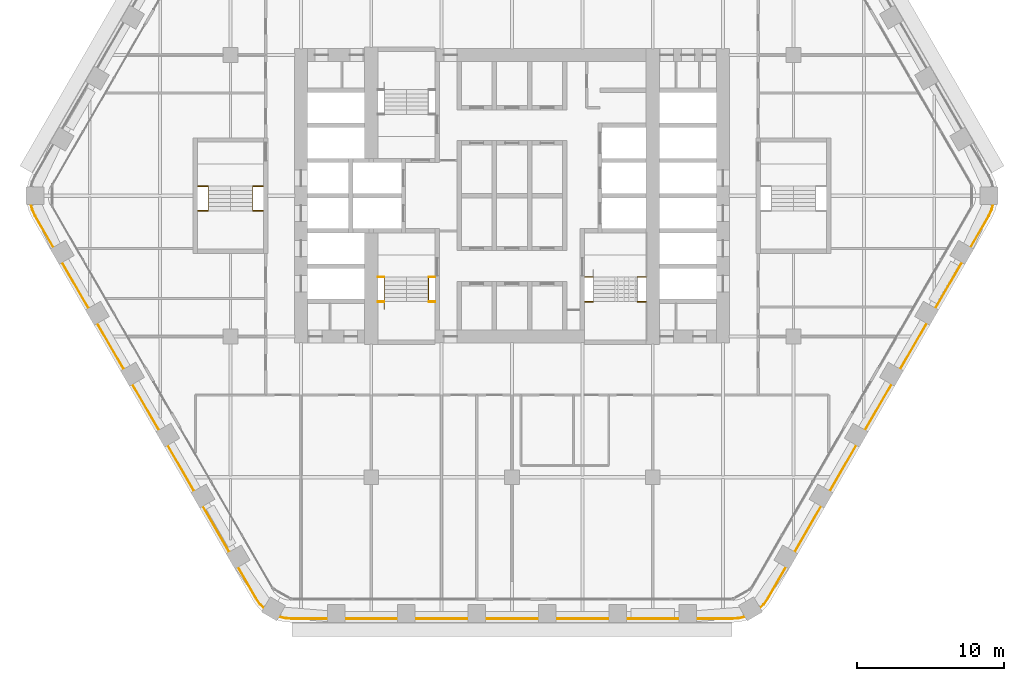
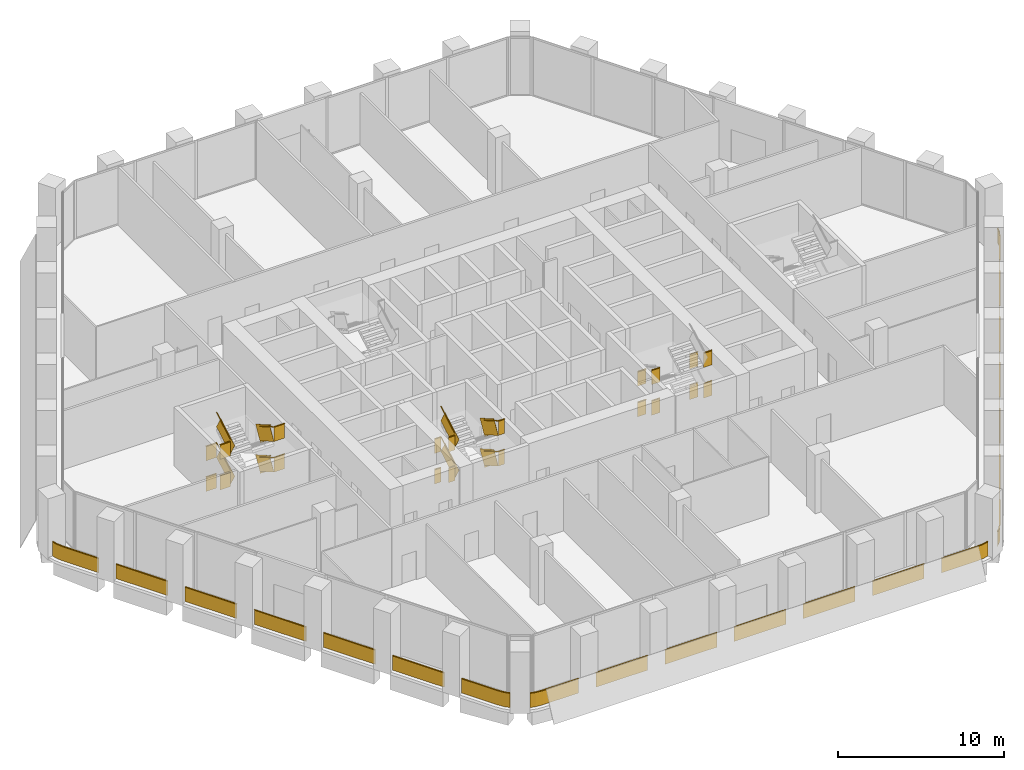
# One storey, part 22 of 23: 8 railings.
"""IFC4 building model written with IfcOpenShell, lengths in metres."""

import ifcopenshell
import ifcopenshell.guid

model = None  # the IFC model being written
_history = None  # IfcOwnerHistory: only IFC2X3 demands one
_inside = {}  # id of a spatial element -> (the spatial element, [elements in it])
_under = {}  # id of a project, library or spatial element -> (it, [spatial elements below it])
_declared = {}  # id of a project -> (the project, [libraries it declares])
_typed = {}  # id of a type object -> (the type object, [elements of that type])
_made_of = {}  # id of a material, layer set ... -> (it, [elements and type objects made of it])


def new_model(schema):
    """Start an empty IFC model of exactly this schema.

    Asked for "IFC4X3", IfcOpenShell would pick the latest addendum, in which some entities
    have other attributes; the version numbers below select the first issue.
    IFC2X3 requires an IfcOwnerHistory on every rooted entity: one is made here for all.
    """
    global model, _history
    if schema == "IFC4X3":
        model = ifcopenshell.file(schema_version=(4, 3, 0, 0))
    else:
        model = ifcopenshell.file(schema=schema)
    _inside.clear()
    _under.clear()
    _declared.clear()
    _typed.clear()
    _made_of.clear()
    _history = None
    if model.schema == "IFC2X3":
        org = make("IfcOrganization", Name="unknown")
        user = make(
            "IfcPersonAndOrganization",
            ThePerson=make("IfcPerson", FamilyName="unknown"),
            TheOrganization=org,
        )
        app = make(
            "IfcApplication",
            ApplicationDeveloper=org,
            Version="unknown",
            ApplicationFullName="unknown",
            ApplicationIdentifier="unknown",
        )
        _history = make(
            "IfcOwnerHistory",
            OwningUser=user,
            OwningApplication=app,
            ChangeAction="ADDED",
            CreationDate=0,
        )
    return model


def make(cls, **values):
    """One entity of the class cls with the attributes given. An attribute that is None is left unset."""
    return model.create_entity(
        cls, **{name: value for name, value in values.items() if value is not None}
    )


def rooted(cls, **values):
    """An entity with a GlobalId (a new one), such as an element, a storey or a relation."""
    return make(cls, GlobalId=ifcopenshell.guid.new(), OwnerHistory=_history, **values)


def si_unit(unit_type, name, prefix=None):
    """IfcSIUnit, for example si_unit("LENGTHUNIT", "METRE", prefix="MILLI")."""
    return make("IfcSIUnit", UnitType=unit_type, Prefix=prefix, Name=name)


def assignment(units):
    """IfcUnitAssignment: the units of a project."""
    return None if units is None else make("IfcUnitAssignment", Units=units)


def point(xyz):
    """IfcCartesianPoint."""
    return None if xyz is None else make("IfcCartesianPoint", Coordinates=xyz)


def direction(xyz):
    """IfcDirection."""
    return None if xyz is None else make("IfcDirection", DirectionRatios=xyz)


def frame(location, z_axis=None, x_axis=None):
    """IfcAxis2Placement3D, a coordinate frame: its origin and axes. An axis left out is left unset."""
    return make(
        "IfcAxis2Placement3D",
        Location=point(location),
        Axis=direction(z_axis),
        RefDirection=direction(x_axis),
    )


def frame_2d(location, x_axis=None):
    """IfcAxis2Placement2D, a coordinate frame in the plane: its origin and x axis."""
    return make(
        "IfcAxis2Placement2D", Location=point(location), RefDirection=direction(x_axis)
    )


def origin():
    """The frame at (0, 0, 0) with its axes left unset."""
    return frame((0.0, 0.0, 0.0))


def origin_2d():
    """The frame at (0, 0) in the plane with its x axis left unset."""
    return frame_2d((0.0, 0.0))


def place(relative_to, where):
    """IfcLocalPlacement: puts the frame where relative to a parent placement (None: the world)."""
    return make(
        "IfcLocalPlacement", PlacementRelTo=relative_to, RelativePlacement=where
    )


def context(
    kind, dimensions, precision=None, world=None, true_north=None, identifier=None
):
    """IfcGeometricRepresentationContext, for example the 3D "Model" context."""
    return make(
        "IfcGeometricRepresentationContext",
        ContextIdentifier=identifier,
        ContextType=kind,
        CoordinateSpaceDimension=dimensions,
        Precision=precision,
        WorldCoordinateSystem=world,
        TrueNorth=true_north,
    )


def subcontext(parent, identifier, kind, view, scale=None):
    """IfcGeometricRepresentationSubContext, for example "Body" below "Model"."""
    return make(
        "IfcGeometricRepresentationSubContext",
        ContextIdentifier=identifier,
        ContextType=kind,
        ParentContext=parent,
        TargetScale=scale,
        TargetView=view,
    )


def project(units=None, contexts=None):
    """IfcProject with its units and contexts."""
    return rooted(
        "IfcProject",
        Name="project",
        RepresentationContexts=contexts,
        UnitsInContext=assignment(units),
    )


def spatial(cls, under=None, at=None, **own):
    """A site, building, storey or space (cls), placed at a placement, below another one or the project."""
    s = rooted(cls, ObjectPlacement=at, **own)
    if under is not None:
        _under.setdefault(under.id(), (under, []))[1].append(s)
    return s


def profile(cls, at=None, kind="AREA", **sizes):
    """A parametric profile (cls). Its sizes go by their IFC names, for example OverallWidth=200.0."""
    return make(cls, ProfileType=kind, Position=at, **sizes)


def rectangle(**sizes):
    """IfcRectangleProfileDef."""
    return profile("IfcRectangleProfileDef", **sizes)


def extrude(swept, where, along, depth):
    """IfcExtrudedAreaSolid: the profile swept, set in the frame where, extruded along a direction by depth."""
    return make(
        "IfcExtrudedAreaSolid",
        SweptArea=swept,
        Position=where,
        ExtrudedDirection=direction(along),
        Depth=depth,
    )


def shape(context_of_items, identifier, shape_type, items):
    """IfcShapeRepresentation: the items that make up one representation, for example the "Body"."""
    return make(
        "IfcShapeRepresentation",
        ContextOfItems=context_of_items,
        RepresentationIdentifier=identifier,
        RepresentationType=shape_type,
        Items=items,
    )


def material(Name=None, Category=None):
    """IfcMaterial."""
    return make("IfcMaterial", Name=Name, Category=Category)


def made_of(thing, what):
    """Note that an element or type object is made of a material, layer set ...; save() writes the relation."""
    if what is not None:
        _made_of.setdefault(what.id(), (what, []))[1].append(thing)
    return thing


def type_object(cls, material=None, **own):
    """A type object (cls), such as IfcWallType, which elements share."""
    return made_of(rooted(cls, **own), material)


def element(
    cls,
    number,
    at=None,
    inside=None,
    cuts=None,
    type_object=None,
    material=None,
    context=None,
    identifier="Body",
    shape_type=None,
    held_by="IfcProductDefinitionShape",
    body=None,
    shapes=None,
    **own,
):
    """One element of the class cls, such as IfcWall. Its Tag is "e" and its number.

    at: its placement. inside: the storey or other place that contains it. cuts: it is an
    opening in that element (IfcRelVoidsElement). A single representation is given by context,
    identifier, shape_type and body (its items); several are given by shapes. held_by: the class
    of the entity that holds the representations. save() writes the other relations.
    """
    e = rooted(cls, Tag="e%d" % number, ObjectPlacement=at, **own)
    if body is not None:
        shapes = [shape(context, identifier, shape_type, body)]
    if shapes is not None:
        e.Representation = make(held_by, Representations=shapes)
    if inside is not None:
        _inside.setdefault(inside.id(), (inside, []))[1].append(e)
    if cuts is not None:
        rooted(
            "IfcRelVoidsElement", RelatingBuildingElement=cuts, RelatedOpeningElement=e
        )
    if type_object is not None:
        _typed.setdefault(type_object.id(), (type_object, []))[1].append(e)
    return made_of(e, material)


def aggregate(whole, parts):
    """IfcRelAggregates: a whole, such as a stair, and the parts it consists of."""
    return rooted("IfcRelAggregates", RelatingObject=whole, RelatedObjects=parts)


def save(model, path):
    """Write the relations noted so far, then the file.

    IfcRelAggregates (storeys below a building ...), IfcRelContainedInSpatialStructure (elements
    in a storey), IfcRelDefinesByType, IfcRelAssociatesMaterial and IfcRelDeclares: one each for
    every whole, place, type object, material and project.
    """
    for whole, parts in _under.values():
        aggregate(whole, parts)
    for where, things in _inside.values():
        rooted(
            "IfcRelContainedInSpatialStructure",
            RelatedElements=things,
            RelatingStructure=where,
        )
    for kind, things in _typed.values():
        rooted("IfcRelDefinesByType", RelatedObjects=things, RelatingType=kind)
    for what, things in _made_of.values():
        rooted("IfcRelAssociatesMaterial", RelatedObjects=things, RelatingMaterial=what)
    for by, libraries in _declared.values():
        rooted("IfcRelDeclares", RelatingContext=by, RelatedDefinitions=libraries)
    model.write(path)


model = new_model("IFC4")

# Units and contexts
model_context = context("Model", 3, precision=1e-05, world=origin(), true_north=direction((0.0, 1.0)))
body_context = subcontext(model_context, "Body", "Model", "MODEL_VIEW")
ifc_project = project(units=[si_unit("LENGTHUNIT", "METRE"), si_unit("AREAUNIT", "SQUARE_METRE"), si_unit("VOLUMEUNIT", "CUBIC_METRE"), si_unit("PLANEANGLEUNIT", "RADIAN"), si_unit("MASSUNIT", "GRAM", prefix="KILO")], contexts=[model_context])

# Site, building, storey
site_placement = place(None, origin())
site = spatial("IfcSite", under=ifc_project, at=site_placement, CompositionType="ELEMENT")
building_placement = place(site_placement, origin())
building = spatial("IfcBuilding", under=site, at=building_placement, Name="Kolab Exchange Tower", CompositionType="ELEMENT")
storey_placement = place(building_placement, frame((0.0, 0.0, 95.89990234375)))
storey = spatial("IfcBuildingStorey", under=building, at=storey_placement, Name="L18", CompositionType="ELEMENT", Elevation=95.89990234375)

# Railings
ifc_material_1 = material(Name="Stainless steel 316", Category="steel")
railing_type_1 = type_object("IfcRailingType", Name="GUARD 1100", PredefinedType="GUARDRAIL", material=ifc_material_1)
railing_1_placement = place(storey_placement, frame((-9.14990234375, -5.550048828125, 0.0)))
element("IfcRailing", 1, at=railing_1_placement, inside=storey, type_object=railing_type_1, Name="Guard ST3", PredefinedType="GUARDRAIL", context=body_context, shape_type="SweptSolid", body=[
    extrude(rectangle(XDim=0.05, YDim=0.05, at=origin_2d()), frame((0.0, 0.0, 1.0751953125), z_axis=(1.0, 0.0, 0.0), x_axis=(0.0, 1.0, 0.0)), (0.0, 0.0, 1.0), 0.43994140625),
    extrude(rectangle(XDim=0.012, YDim=1.05009765625, at=frame_2d((0.0, 0.525146484375))), frame((0.0, 0.0, 0.0), z_axis=(1.0, 0.0, 0.0), x_axis=(0.0, 1.0, 0.0)), (0.0, 0.0, 1.0), 0.43994140625),
    extrude(rectangle(XDim=0.05, YDim=0.05, at=origin_2d()), frame((3.4599609375, 0.0, 1.0751953125), z_axis=(1.0, 0.0, 0.0), x_axis=(0.0, 1.0, 0.0)), (0.0, 0.0, 1.0), 0.43994140625),
    extrude(rectangle(XDim=0.012, YDim=1.05009765625, at=frame_2d((0.0, 0.525146484375))), frame((3.4599609375, 0.0, 0.0), z_axis=(1.0, 0.0, 0.0), x_axis=(0.0, 1.0, 0.0)), (0.0, 0.0, 1.0), 0.43994140625),
    extrude(rectangle(XDim=0.05, YDim=0.05, at=origin_2d()), frame((0.0, -1.679931640625, 2.2001953125), z_axis=(1.0, 0.0, 0.0), x_axis=(0.0, 1.0, 0.0)), (0.0, 0.0, 1.0), 0.43994140625),
    extrude(rectangle(XDim=0.012, YDim=1.05009765625, at=frame_2d((0.0, 0.525146484375))), frame((0.0, -1.679931640625, 1.125), z_axis=(1.0, 0.0, 0.0), x_axis=(0.0, 1.0, 0.0)), (0.0, 0.0, 1.0), 0.43994140625),
    extrude(rectangle(XDim=0.05, YDim=0.05, at=origin_2d()), frame((3.4599609375, -1.679931640625, 2.2001953125), z_axis=(1.0, 0.0, 0.0), x_axis=(0.0, 1.0, 0.0)), (0.0, 0.0, 1.0), 0.43994140625),
    extrude(rectangle(XDim=0.012, YDim=1.05009765625, at=frame_2d((0.0, 0.525146484375))), frame((3.4599609375, -1.679931640625, 1.125), z_axis=(1.0, 0.0, 0.0), x_axis=(0.0, 1.0, 0.0)), (0.0, 0.0, 1.0), 0.43994140625),
    extrude(rectangle(XDim=0.05, YDim=0.05, at=origin_2d()), frame((0.0, 0.0, 3.3251953125), z_axis=(1.0, 0.0, 0.0), x_axis=(0.0, 1.0, 0.0)), (0.0, 0.0, 1.0), 0.43994140625),
    extrude(rectangle(XDim=0.012, YDim=1.05009765625, at=frame_2d((0.0, 0.525146484375))), frame((0.0, 0.0, 2.25), z_axis=(1.0, 0.0, 0.0), x_axis=(0.0, 1.0, 0.0)), (0.0, 0.0, 1.0), 0.43994140625),
    extrude(rectangle(XDim=0.05, YDim=0.05, at=origin_2d()), frame((3.4599609375, 0.0, 3.3251953125), z_axis=(1.0, 0.0, 0.0), x_axis=(0.0, 1.0, 0.0)), (0.0, 0.0, 1.0), 0.43994140625),
    extrude(rectangle(XDim=0.012, YDim=1.05009765625, at=frame_2d((0.0, 0.525146484375))), frame((3.4599609375, 0.0, 2.25), z_axis=(1.0, 0.0, 0.0), x_axis=(0.0, 1.0, 0.0)), (0.0, 0.0, 1.0), 0.43994140625),
    extrude(rectangle(XDim=0.05, YDim=0.05, at=origin_2d()), frame((0.0, -1.679931640625, 4.4501953125), z_axis=(1.0, 0.0, 0.0), x_axis=(0.0, 1.0, 0.0)), (0.0, 0.0, 1.0), 0.43994140625),
    extrude(rectangle(XDim=0.012, YDim=1.05009765625, at=frame_2d((0.0, 0.525146484375))), frame((0.0, -1.679931640625, 3.375), z_axis=(1.0, 0.0, 0.0), x_axis=(0.0, 1.0, 0.0)), (0.0, 0.0, 1.0), 0.43994140625),
    extrude(rectangle(XDim=0.05, YDim=0.05, at=origin_2d()), frame((3.4599609375, -1.679931640625, 4.4501953125), z_axis=(1.0, 0.0, 0.0), x_axis=(0.0, 1.0, 0.0)), (0.0, 0.0, 1.0), 0.43994140625),
    extrude(rectangle(XDim=0.012, YDim=1.05009765625, at=frame_2d((0.0, 0.525146484375))), frame((3.4599609375, -1.679931640625, 3.375), z_axis=(1.0, 0.0, 0.0), x_axis=(0.0, 1.0, 0.0)), (0.0, 0.0, 1.0), 0.43994140625),
])
railing_2_placement = place(storey_placement, frame((-5.68994140625, -5.550048828125, 0.160888671875)))
element("IfcRailing", 2, at=railing_2_placement, inside=storey, type_object=railing_type_1, Name="Handrail guard ST3", PredefinedType="GUARDRAIL", context=body_context, shape_type="SweptSolid", body=[
    extrude(rectangle(XDim=0.05, YDim=0.05, at=origin_2d()), frame((0.0, 0.0, 1.0751953125), z_axis=(0.0, -0.867318599139, 0.497753400378), x_axis=(1.0, 0.0, 0.0)), (0.0, 0.0, 1.0), 1.93701171875),
    extrude(rectangle(XDim=0.012, YDim=1.05009765625, at=frame_2d((0.0, 0.525146484375))), frame((0.0, 0.0, 0.0), z_axis=(0.0, -0.867318599139, 0.497753400378), x_axis=(1.0, 0.0, 0.0)), (0.0, 0.0, 1.0), 1.93701171875),
    extrude(rectangle(XDim=0.05, YDim=0.05, at=origin_2d()), frame((-3.02001953125, -1.679931640625, 2.2001953125), z_axis=(0.0, 0.867318599139, 0.497753400378), x_axis=(-1.0, 0.0, 0.0)), (0.0, 0.0, 1.0), 1.93701171875),
    extrude(rectangle(XDim=0.012, YDim=1.05009765625, at=frame_2d((0.0, 0.525146484375))), frame((-3.02001953125, -1.679931640625, 1.125), z_axis=(0.0, 0.867318599139, 0.497753400378), x_axis=(-1.0, 0.0, 0.0)), (0.0, 0.0, 1.0), 1.93701171875),
    extrude(rectangle(XDim=0.05, YDim=0.05, at=origin_2d()), frame((0.0, 0.0, 3.3251953125), z_axis=(0.0, -0.867318599139, 0.497753400378), x_axis=(1.0, 0.0, 0.0)), (0.0, 0.0, 1.0), 1.93701171875),
    extrude(rectangle(XDim=0.012, YDim=1.05009765625, at=frame_2d((0.0, 0.525146484375))), frame((0.0, 0.0, 2.25), z_axis=(0.0, -0.867318599139, 0.497753400378), x_axis=(1.0, 0.0, 0.0)), (0.0, 0.0, 1.0), 1.93701171875),
    extrude(rectangle(XDim=0.05, YDim=0.05, at=origin_2d()), frame((-3.02001953125, -1.679931640625, 4.4501953125), z_axis=(0.0, 0.867318599139, 0.497753400378), x_axis=(-1.0, 0.0, 0.0)), (0.0, 0.0, 1.0), 1.93701171875),
    extrude(rectangle(XDim=0.012, YDim=1.05009765625, at=frame_2d((0.0, 0.525146484375))), frame((-3.02001953125, -1.679931640625, 3.375), z_axis=(0.0, 0.867318599139, 0.497753400378), x_axis=(-1.0, 0.0, 0.0)), (0.0, 0.0, 1.0), 1.93701171875),
])
railing_3_placement = place(storey_placement, frame((4.949951171875, -5.550048828125, 0.0)))
element("IfcRailing", 3, at=railing_3_placement, inside=storey, type_object=railing_type_1, Name="Guard ST2", PredefinedType="GUARDRAIL", context=body_context, shape_type="SweptSolid", body=[
    extrude(rectangle(XDim=0.05, YDim=0.05, at=origin_2d()), frame((0.0, 0.0, 1.0751953125), z_axis=(1.0, 0.0, 0.0), x_axis=(0.0, 1.0, 0.0)), (0.0, 0.0, 1.0), 0.590087890625),
    extrude(rectangle(XDim=0.012, YDim=1.05009765625, at=frame_2d((0.0, 0.525146484375))), frame((0.0, 0.0, 0.0), z_axis=(1.0, 0.0, 0.0), x_axis=(0.0, 1.0, 0.0)), (0.0, 0.0, 1.0), 0.590087890625),
    extrude(rectangle(XDim=0.05, YDim=0.05, at=origin_2d()), frame((3.610107421875, 0.0, 1.0751953125), z_axis=(1.0, 0.0, 0.0), x_axis=(0.0, 1.0, 0.0)), (0.0, 0.0, 1.0), 0.58984375),
    extrude(rectangle(XDim=0.012, YDim=1.05009765625, at=frame_2d((0.0, 0.525146484375))), frame((3.610107421875, 0.0, 0.0), z_axis=(1.0, 0.0, 0.0), x_axis=(0.0, 1.0, 0.0)), (0.0, 0.0, 1.0), 0.58984375),
    extrude(rectangle(XDim=0.05, YDim=0.05, at=origin_2d()), frame((0.0, -1.679931640625, 2.2001953125), z_axis=(1.0, 0.0, 0.0), x_axis=(0.0, 1.0, 0.0)), (0.0, 0.0, 1.0), 0.590087890625),
    extrude(rectangle(XDim=0.012, YDim=1.05009765625, at=frame_2d((0.0, 0.525146484375))), frame((0.0, -1.679931640625, 1.125), z_axis=(1.0, 0.0, 0.0), x_axis=(0.0, 1.0, 0.0)), (0.0, 0.0, 1.0), 0.590087890625),
    extrude(rectangle(XDim=0.05, YDim=0.05, at=origin_2d()), frame((3.610107421875, -1.679931640625, 2.2001953125), z_axis=(1.0, 0.0, 0.0), x_axis=(0.0, 1.0, 0.0)), (0.0, 0.0, 1.0), 0.58984375),
    extrude(rectangle(XDim=0.012, YDim=1.05009765625, at=frame_2d((0.0, 0.525146484375))), frame((3.610107421875, -1.679931640625, 1.125), z_axis=(1.0, 0.0, 0.0), x_axis=(0.0, 1.0, 0.0)), (0.0, 0.0, 1.0), 0.58984375),
    extrude(rectangle(XDim=0.05, YDim=0.05, at=origin_2d()), frame((0.0, 0.0, 3.3251953125), z_axis=(1.0, 0.0, 0.0), x_axis=(0.0, 1.0, 0.0)), (0.0, 0.0, 1.0), 0.590087890625),
    extrude(rectangle(XDim=0.012, YDim=1.05009765625, at=frame_2d((0.0, 0.525146484375))), frame((0.0, 0.0, 2.25), z_axis=(1.0, 0.0, 0.0), x_axis=(0.0, 1.0, 0.0)), (0.0, 0.0, 1.0), 0.590087890625),
    extrude(rectangle(XDim=0.05, YDim=0.05, at=origin_2d()), frame((3.610107421875, 0.0, 3.3251953125), z_axis=(1.0, 0.0, 0.0), x_axis=(0.0, 1.0, 0.0)), (0.0, 0.0, 1.0), 0.58984375),
    extrude(rectangle(XDim=0.012, YDim=1.05009765625, at=frame_2d((0.0, 0.525146484375))), frame((3.610107421875, 0.0, 2.25), z_axis=(1.0, 0.0, 0.0), x_axis=(0.0, 1.0, 0.0)), (0.0, 0.0, 1.0), 0.58984375),
    extrude(rectangle(XDim=0.05, YDim=0.05, at=origin_2d()), frame((0.0, -1.679931640625, 4.4501953125), z_axis=(1.0, 0.0, 0.0), x_axis=(0.0, 1.0, 0.0)), (0.0, 0.0, 1.0), 0.590087890625),
    extrude(rectangle(XDim=0.012, YDim=1.05009765625, at=frame_2d((0.0, 0.525146484375))), frame((0.0, -1.679931640625, 3.375), z_axis=(1.0, 0.0, 0.0), x_axis=(0.0, 1.0, 0.0)), (0.0, 0.0, 1.0), 0.590087890625),
    extrude(rectangle(XDim=0.05, YDim=0.05, at=origin_2d()), frame((3.610107421875, -1.679931640625, 4.4501953125), z_axis=(1.0, 0.0, 0.0), x_axis=(0.0, 1.0, 0.0)), (0.0, 0.0, 1.0), 0.58984375),
    extrude(rectangle(XDim=0.012, YDim=1.05009765625, at=frame_2d((0.0, 0.525146484375))), frame((3.610107421875, -1.679931640625, 3.375), z_axis=(1.0, 0.0, 0.0), x_axis=(0.0, 1.0, 0.0)), (0.0, 0.0, 1.0), 0.58984375),
])
railing_4_placement = place(storey_placement, frame((-21.449951171875, 0.64990234375, 0.0)))
element("IfcRailing", 4, at=railing_4_placement, inside=storey, type_object=railing_type_1, Name="Guard ST5", PredefinedType="GUARDRAIL", context=body_context, shape_type="SweptSolid", body=[
    extrude(rectangle(XDim=0.05, YDim=0.05, at=origin_2d()), frame((0.0, 0.0, 1.0751953125), z_axis=(1.0, 0.0, 0.0), x_axis=(0.0, 1.0, 0.0)), (0.0, 0.0, 1.0), 0.739990234375),
    extrude(rectangle(XDim=0.012, YDim=1.05009765625, at=frame_2d((0.0, 0.525146484375))), frame((0.0, 0.0, 0.0), z_axis=(1.0, 0.0, 0.0), x_axis=(0.0, 1.0, 0.0)), (0.0, 0.0, 1.0), 0.739990234375),
    extrude(rectangle(XDim=0.05, YDim=0.05, at=origin_2d()), frame((3.760009765625, 0.0, 1.0751953125), z_axis=(1.0, 0.0, 0.0), x_axis=(0.0, 1.0, 0.0)), (0.0, 0.0, 1.0), 0.739990234375),
    extrude(rectangle(XDim=0.012, YDim=1.05009765625, at=frame_2d((0.0, 0.525146484375))), frame((3.760009765625, 0.0, 0.0), z_axis=(1.0, 0.0, 0.0), x_axis=(0.0, 1.0, 0.0)), (0.0, 0.0, 1.0), 0.739990234375),
    extrude(rectangle(XDim=0.05, YDim=0.05, at=origin_2d()), frame((0.0, -1.679931640625, 2.2001953125), z_axis=(1.0, 0.0, 0.0), x_axis=(0.0, 1.0, 0.0)), (0.0, 0.0, 1.0), 0.739990234375),
    extrude(rectangle(XDim=0.012, YDim=1.05009765625, at=frame_2d((0.0, 0.525146484375))), frame((0.0, -1.679931640625, 1.125), z_axis=(1.0, 0.0, 0.0), x_axis=(0.0, 1.0, 0.0)), (0.0, 0.0, 1.0), 0.739990234375),
    extrude(rectangle(XDim=0.05, YDim=0.05, at=origin_2d()), frame((3.760009765625, -1.679931640625, 2.2001953125), z_axis=(1.0, 0.0, 0.0), x_axis=(0.0, 1.0, 0.0)), (0.0, 0.0, 1.0), 0.739990234375),
    extrude(rectangle(XDim=0.012, YDim=1.05009765625, at=frame_2d((0.0, 0.525146484375))), frame((3.760009765625, -1.679931640625, 1.125), z_axis=(1.0, 0.0, 0.0), x_axis=(0.0, 1.0, 0.0)), (0.0, 0.0, 1.0), 0.739990234375),
    extrude(rectangle(XDim=0.05, YDim=0.05, at=origin_2d()), frame((0.0, 0.0, 3.3251953125), z_axis=(1.0, 0.0, 0.0), x_axis=(0.0, 1.0, 0.0)), (0.0, 0.0, 1.0), 0.739990234375),
    extrude(rectangle(XDim=0.012, YDim=1.05009765625, at=frame_2d((0.0, 0.525146484375))), frame((0.0, 0.0, 2.25), z_axis=(1.0, 0.0, 0.0), x_axis=(0.0, 1.0, 0.0)), (0.0, 0.0, 1.0), 0.739990234375),
    extrude(rectangle(XDim=0.05, YDim=0.05, at=origin_2d()), frame((3.760009765625, 0.0, 3.3251953125), z_axis=(1.0, 0.0, 0.0), x_axis=(0.0, 1.0, 0.0)), (0.0, 0.0, 1.0), 0.739990234375),
    extrude(rectangle(XDim=0.012, YDim=1.05009765625, at=frame_2d((0.0, 0.525146484375))), frame((3.760009765625, 0.0, 2.25), z_axis=(1.0, 0.0, 0.0), x_axis=(0.0, 1.0, 0.0)), (0.0, 0.0, 1.0), 0.739990234375),
    extrude(rectangle(XDim=0.05, YDim=0.05, at=origin_2d()), frame((0.0, -1.679931640625, 4.4501953125), z_axis=(1.0, 0.0, 0.0), x_axis=(0.0, 1.0, 0.0)), (0.0, 0.0, 1.0), 0.739990234375),
    extrude(rectangle(XDim=0.012, YDim=1.05009765625, at=frame_2d((0.0, 0.525146484375))), frame((0.0, -1.679931640625, 3.375), z_axis=(1.0, 0.0, 0.0), x_axis=(0.0, 1.0, 0.0)), (0.0, 0.0, 1.0), 0.739990234375),
    extrude(rectangle(XDim=0.05, YDim=0.05, at=origin_2d()), frame((3.760009765625, -1.679931640625, 4.4501953125), z_axis=(1.0, 0.0, 0.0), x_axis=(0.0, 1.0, 0.0)), (0.0, 0.0, 1.0), 0.739990234375),
    extrude(rectangle(XDim=0.012, YDim=1.05009765625, at=frame_2d((0.0, 0.525146484375))), frame((3.760009765625, -1.679931640625, 3.375), z_axis=(1.0, 0.0, 0.0), x_axis=(0.0, 1.0, 0.0)), (0.0, 0.0, 1.0), 0.739990234375),
])
railing_5_placement = place(storey_placement, frame((-17.68994140625, 0.64990234375, 0.160888671875)))
element("IfcRailing", 5, at=railing_5_placement, inside=storey, type_object=railing_type_1, Name="Handrail guard ST5", PredefinedType="GUARDRAIL", context=body_context, shape_type="SweptSolid", body=[
    extrude(rectangle(XDim=0.05, YDim=0.05, at=origin_2d()), frame((0.0, 0.0, 1.0751953125), z_axis=(0.0, -0.867318599139, 0.497753400378), x_axis=(1.0, 0.0, 0.0)), (0.0, 0.0, 1.0), 1.93701171875),
    extrude(rectangle(XDim=0.012, YDim=1.05009765625, at=frame_2d((0.0, 0.525146484375))), frame((0.0, 0.0, 0.0), z_axis=(0.0, -0.867318599139, 0.497753400378), x_axis=(1.0, 0.0, 0.0)), (0.0, 0.0, 1.0), 1.93701171875),
    extrude(rectangle(XDim=0.05, YDim=0.05, at=origin_2d()), frame((-3.02001953125, -1.679931640625, 2.2001953125), z_axis=(0.0, 0.867318599139, 0.497753400378), x_axis=(-1.0, 0.0, 0.0)), (0.0, 0.0, 1.0), 1.93701171875),
    extrude(rectangle(XDim=0.012, YDim=1.05009765625, at=frame_2d((0.0, 0.525146484375))), frame((-3.02001953125, -1.679931640625, 1.125), z_axis=(0.0, 0.867318599139, 0.497753400378), x_axis=(-1.0, 0.0, 0.0)), (0.0, 0.0, 1.0), 1.93701171875),
    extrude(rectangle(XDim=0.05, YDim=0.05, at=origin_2d()), frame((0.0, 0.0, 3.3251953125), z_axis=(0.0, -0.867318599139, 0.497753400378), x_axis=(1.0, 0.0, 0.0)), (0.0, 0.0, 1.0), 1.93701171875),
    extrude(rectangle(XDim=0.012, YDim=1.05009765625, at=frame_2d((0.0, 0.525146484375))), frame((0.0, 0.0, 2.25), z_axis=(0.0, -0.867318599139, 0.497753400378), x_axis=(1.0, 0.0, 0.0)), (0.0, 0.0, 1.0), 1.93701171875),
    extrude(rectangle(XDim=0.05, YDim=0.05, at=origin_2d()), frame((-3.02001953125, -1.679931640625, 4.4501953125), z_axis=(0.0, 0.867318599139, 0.497753400378), x_axis=(-1.0, 0.0, 0.0)), (0.0, 0.0, 1.0), 1.93701171875),
    extrude(rectangle(XDim=0.012, YDim=1.05009765625, at=frame_2d((0.0, 0.525146484375))), frame((-3.02001953125, -1.679931640625, 3.375), z_axis=(0.0, 0.867318599139, 0.497753400378), x_axis=(-1.0, 0.0, 0.0)), (0.0, 0.0, 1.0), 1.93701171875),
])
ifc_material_2 = material(Name="Steel S235", Category="steel")
railing_type_2 = type_object("IfcRailingType", Name="GUARD 1100 GLASS BALUSTRADE AND STEEL TOP RAIL", PredefinedType="GUARDRAIL", material=ifc_material_2)
railing_6_placement = place(storey_placement, frame((16.9208984375, -28.119873046875, 0.0)))
element("IfcRailing", 6, at=railing_6_placement, inside=storey, type_object=railing_type_2, Name="Guard", PredefinedType="GUARDRAIL", context=body_context, shape_type="SweptSolid", body=[
    extrude(rectangle(XDim=0.05, YDim=0.05, at=origin_2d()), frame((0.0, 0.0, 1.0751953125), z_axis=(0.707106781187, 0.707106781187, 0.0), x_axis=(-0.707106781187, 0.707106781187, 0.0)), (0.0, 0.0, 1.0), 0.358642578125),
    extrude(rectangle(XDim=0.012, YDim=1.05009765625, at=frame_2d((0.0, 0.525146484375))), frame((0.0, 0.0, 0.0), z_axis=(0.707106781187, 0.707106781187, 0.0), x_axis=(-0.707106781187, 0.707106781187, 0.0)), (0.0, 0.0, 1.0), 0.358642578125),
    extrude(rectangle(XDim=0.05, YDim=0.05, at=origin_2d()), frame((0.253662109375, 0.253662109375, 1.0751953125), z_axis=(0.573359816273, 0.819303680624, 0.0), x_axis=(-0.819303680624, 0.573359816273, 0.0)), (0.0, 0.0, 1.0), 0.4794921875),
    extrude(rectangle(XDim=0.012, YDim=1.05009765625, at=frame_2d((0.0, 0.525146484375))), frame((0.253662109375, 0.253662109375, 0.0), z_axis=(0.573359816273, 0.819303680624, 0.0), x_axis=(-0.819303680624, 0.573359816273, 0.0)), (0.0, 0.0, 1.0), 0.4794921875),
    extrude(rectangle(XDim=0.05, YDim=0.05, at=origin_2d()), frame((0.528564453125, 0.646484375, 1.0751953125), z_axis=(0.500064973171, 0.865987888257, 0.0), x_axis=(-0.865987888257, 0.500064973171, 0.0)), (0.0, 0.0, 1.0), 2.468017578125),
    extrude(rectangle(XDim=0.012, YDim=1.05009765625, at=frame_2d((0.0, 0.525146484375))), frame((0.528564453125, 0.646484375, 0.0), z_axis=(0.500064973171, 0.865987888257, 0.0), x_axis=(-0.865987888257, 0.500064973171, 0.0)), (0.0, 0.0, 1.0), 2.468017578125),
    extrude(rectangle(XDim=0.05, YDim=0.05, at=origin_2d()), frame((2.362548828125, 3.822998046875, 1.0751953125), z_axis=(0.500012057535, 0.866018442252, 0.0), x_axis=(-0.866018442252, 0.500012057535, 0.0)), (0.0, 0.0, 1.0), 3.60009765625),
    extrude(rectangle(XDim=0.012, YDim=1.05009765625, at=frame_2d((0.0, 0.525146484375))), frame((2.362548828125, 3.822998046875, 0.0), z_axis=(0.500012057535, 0.866018442252, 0.0), x_axis=(-0.866018442252, 0.500012057535, 0.0)), (0.0, 0.0, 1.0), 3.60009765625),
    extrude(rectangle(XDim=0.05, YDim=0.05, at=origin_2d()), frame((4.7626953125, 7.97998046875, 1.0751953125), z_axis=(0.499961193289, 0.866047807691, 0.0), x_axis=(-0.866047807691, 0.499961193289, 0.0)), (0.0, 0.0, 1.0), 3.599853515625),
    extrude(rectangle(XDim=0.012, YDim=1.05009765625, at=frame_2d((0.0, 0.525146484375))), frame((4.7626953125, 7.97998046875, 0.0), z_axis=(0.499961193289, 0.866047807691, 0.0), x_axis=(-0.866047807691, 0.499961193289, 0.0)), (0.0, 0.0, 1.0), 3.599853515625),
    extrude(rectangle(XDim=0.05, YDim=0.05, at=origin_2d()), frame((7.16259765625, 12.13671875, 1.0751953125), z_axis=(0.500012057535, 0.866018442252, 0.0), x_axis=(-0.866018442252, 0.500012057535, 0.0)), (0.0, 0.0, 1.0), 3.60009765625),
    extrude(rectangle(XDim=0.012, YDim=1.05009765625, at=frame_2d((0.0, 0.525146484375))), frame((7.16259765625, 12.13671875, 0.0), z_axis=(0.500012057535, 0.866018442252, 0.0), x_axis=(-0.866018442252, 0.500012057535, 0.0)), (0.0, 0.0, 1.0), 3.60009765625),
    extrude(rectangle(XDim=0.05, YDim=0.05, at=origin_2d()), frame((9.5625, 16.293701171875, 1.0751953125), z_axis=(0.500012057535, 0.866018442252, 0.0), x_axis=(-0.866018442252, 0.500012057535, 0.0)), (0.0, 0.0, 1.0), 3.60009765625),
    extrude(rectangle(XDim=0.012, YDim=1.05009765625, at=frame_2d((0.0, 0.525146484375))), frame((9.5625, 16.293701171875, 0.0), z_axis=(0.500012057535, 0.866018442252, 0.0), x_axis=(-0.866018442252, 0.500012057535, 0.0)), (0.0, 0.0, 1.0), 3.60009765625),
    extrude(rectangle(XDim=0.05, YDim=0.05, at=origin_2d()), frame((11.962646484375, 20.45068359375, 1.0751953125), z_axis=(0.500012057535, 0.866018442252, 0.0), x_axis=(-0.866018442252, 0.500012057535, 0.0)), (0.0, 0.0, 1.0), 3.60009765625),
    extrude(rectangle(XDim=0.012, YDim=1.05009765625, at=frame_2d((0.0, 0.525146484375))), frame((11.962646484375, 20.45068359375, 0.0), z_axis=(0.500012057535, 0.866018442252, 0.0), x_axis=(-0.866018442252, 0.500012057535, 0.0)), (0.0, 0.0, 1.0), 3.60009765625),
    extrude(rectangle(XDim=0.05, YDim=0.05, at=origin_2d()), frame((14.362548828125, 24.607666015625, 1.0751953125), z_axis=(0.500064973171, 0.865987888257, 0.0), x_axis=(-0.865987888257, 0.500064973171, 0.0)), (0.0, 0.0, 1.0), 2.468017578125),
    extrude(rectangle(XDim=0.012, YDim=1.05009765625, at=frame_2d((0.0, 0.525146484375))), frame((14.362548828125, 24.607666015625, 0.0), z_axis=(0.500064973171, 0.865987888257, 0.0), x_axis=(-0.865987888257, 0.500064973171, 0.0)), (0.0, 0.0, 1.0), 2.468017578125),
    extrude(rectangle(XDim=0.05, YDim=0.05, at=origin_2d()), frame((15.5966796875, 26.744873046875, 1.0751953125), z_axis=(0.422383329074, 0.906417300872, 0.0), x_axis=(-0.906417300872, 0.422383329074, 0.0)), (0.0, 0.0, 1.0), 0.479248046875),
    extrude(rectangle(XDim=0.012, YDim=1.05009765625, at=frame_2d((0.0, 0.525146484375))), frame((15.5966796875, 26.744873046875, 0.0), z_axis=(0.422383329074, 0.906417300872, 0.0), x_axis=(-0.906417300872, 0.422383329074, 0.0)), (0.0, 0.0, 1.0), 0.479248046875),
    extrude(rectangle(XDim=0.05, YDim=0.05, at=origin_2d()), frame((15.799072265625, 27.17919921875, 1.0751953125), z_axis=(0.259144041577, 0.965838685141, 0.0), x_axis=(-0.965838685141, 0.259144041577, 0.0)), (0.0, 0.0, 1.0), 0.35888671875),
    extrude(rectangle(XDim=0.012, YDim=1.05009765625, at=frame_2d((0.0, 0.525146484375))), frame((15.799072265625, 27.17919921875, 0.0), z_axis=(0.259144041577, 0.965838685141, 0.0), x_axis=(-0.965838685141, 0.259144041577, 0.0)), (0.0, 0.0, 1.0), 0.35888671875),
])
railing_7_placement = place(storey_placement, frame((-15.89208984375, -28.7138671875, 0.0)))
element("IfcRailing", 7, at=railing_7_placement, inside=storey, type_object=railing_type_2, Name="Guard", PredefinedType="GUARDRAIL", context=body_context, shape_type="SweptSolid", body=[
    extrude(rectangle(XDim=0.05, YDim=0.05, at=origin_2d()), frame((0.0, 0.0, 1.0751953125), z_axis=(0.966008746817, -0.258509382951, 0.0), x_axis=(0.258509382951, 0.966008746817, 0.0)), (0.0, 0.0, 1.0), 0.35888671875),
    extrude(rectangle(XDim=0.012, YDim=1.05009765625, at=frame_2d((0.0, 0.525146484375))), frame((0.0, 0.0, 0.0), z_axis=(0.966008746817, -0.258509382951, 0.0), x_axis=(0.258509382951, 0.966008746817, 0.0)), (0.0, 0.0, 1.0), 0.35888671875),
    extrude(rectangle(XDim=0.05, YDim=0.05, at=origin_2d()), frame((0.3466796875, -0.0927734375, 1.0751953125), z_axis=(0.996200348447, -0.087091134757, 0.0), x_axis=(0.087091134757, 0.996200348447, 0.0)), (0.0, 0.0, 1.0), 0.479248046875),
    extrude(rectangle(XDim=0.012, YDim=1.05009765625, at=frame_2d((0.0, 0.525146484375))), frame((0.3466796875, -0.0927734375, 0.0), z_axis=(0.996200348447, -0.087091134757, 0.0), x_axis=(0.087091134757, 0.996200348447, 0.0)), (0.0, 0.0, 1.0), 0.479248046875),
    extrude(rectangle(XDim=0.05, YDim=0.05, at=origin_2d()), frame((0.82421875, -0.134521484375, 1.0751953125), z_axis=(1.0, 0.0, 0.0), x_axis=(0.0, 1.0, 0.0)), (0.0, 0.0, 1.0), 2.4677734375),
    extrude(rectangle(XDim=0.012, YDim=1.05009765625, at=frame_2d((0.0, 0.525146484375))), frame((0.82421875, -0.134521484375, 0.0), z_axis=(1.0, 0.0, 0.0), x_axis=(0.0, 1.0, 0.0)), (0.0, 0.0, 1.0), 2.4677734375),
    extrude(rectangle(XDim=0.05, YDim=0.05, at=origin_2d()), frame((4.4921875, -0.134521484375, 1.0751953125), z_axis=(1.0, 0.0, 0.0), x_axis=(0.0, 1.0, 0.0)), (0.0, 0.0, 1.0), 3.599853515625),
    extrude(rectangle(XDim=0.012, YDim=1.05009765625, at=frame_2d((0.0, 0.525146484375))), frame((4.4921875, -0.134521484375, 0.0), z_axis=(1.0, 0.0, 0.0), x_axis=(0.0, 1.0, 0.0)), (0.0, 0.0, 1.0), 3.599853515625),
    extrude(rectangle(XDim=0.05, YDim=0.05, at=origin_2d()), frame((9.2919921875, -0.134521484375, 1.0751953125), z_axis=(1.0, 0.0, 0.0), x_axis=(0.0, 1.0, 0.0)), (0.0, 0.0, 1.0), 3.60009765625),
    extrude(rectangle(XDim=0.012, YDim=1.05009765625, at=frame_2d((0.0, 0.525146484375))), frame((9.2919921875, -0.134521484375, 0.0), z_axis=(1.0, 0.0, 0.0), x_axis=(0.0, 1.0, 0.0)), (0.0, 0.0, 1.0), 3.60009765625),
    extrude(rectangle(XDim=0.05, YDim=0.05, at=origin_2d()), frame((14.092041015625, -0.134521484375, 1.0751953125), z_axis=(1.0, 0.0, 0.0), x_axis=(0.0, 1.0, 0.0)), (0.0, 0.0, 1.0), 3.60009765625),
    extrude(rectangle(XDim=0.012, YDim=1.05009765625, at=frame_2d((0.0, 0.525146484375))), frame((14.092041015625, -0.134521484375, 0.0), z_axis=(1.0, 0.0, 0.0), x_axis=(0.0, 1.0, 0.0)), (0.0, 0.0, 1.0), 3.60009765625),
    extrude(rectangle(XDim=0.05, YDim=0.05, at=origin_2d()), frame((18.89208984375, -0.134521484375, 1.0751953125), z_axis=(1.0, 0.0, 0.0), x_axis=(0.0, 1.0, 0.0)), (0.0, 0.0, 1.0), 3.60009765625),
    extrude(rectangle(XDim=0.012, YDim=1.05009765625, at=frame_2d((0.0, 0.525146484375))), frame((18.89208984375, -0.134521484375, 0.0), z_axis=(1.0, 0.0, 0.0), x_axis=(0.0, 1.0, 0.0)), (0.0, 0.0, 1.0), 3.60009765625),
    extrude(rectangle(XDim=0.05, YDim=0.05, at=origin_2d()), frame((23.692138671875, -0.134521484375, 1.0751953125), z_axis=(1.0, 0.0, 0.0), x_axis=(0.0, 1.0, 0.0)), (0.0, 0.0, 1.0), 3.599853515625),
    extrude(rectangle(XDim=0.012, YDim=1.05009765625, at=frame_2d((0.0, 0.525146484375))), frame((23.692138671875, -0.134521484375, 0.0), z_axis=(1.0, 0.0, 0.0), x_axis=(0.0, 1.0, 0.0)), (0.0, 0.0, 1.0), 3.599853515625),
    extrude(rectangle(XDim=0.05, YDim=0.05, at=origin_2d()), frame((28.4921875, -0.134521484375, 1.0751953125), z_axis=(1.0, 0.0, 0.0), x_axis=(0.0, 1.0, 0.0)), (0.0, 0.0, 1.0), 2.4677734375),
    extrude(rectangle(XDim=0.012, YDim=1.05009765625, at=frame_2d((0.0, 0.525146484375))), frame((28.4921875, -0.134521484375, 0.0), z_axis=(1.0, 0.0, 0.0), x_axis=(0.0, 1.0, 0.0)), (0.0, 0.0, 1.0), 2.4677734375),
    extrude(rectangle(XDim=0.05, YDim=0.05, at=origin_2d()), frame((30.9599609375, -0.134521484375, 1.0751953125), z_axis=(0.996200348447, 0.087091134757, 0.0), x_axis=(-0.087091134757, 0.996200348447, 0.0)), (0.0, 0.0, 1.0), 0.479248046875),
    extrude(rectangle(XDim=0.012, YDim=1.05009765625, at=frame_2d((0.0, 0.525146484375))), frame((30.9599609375, -0.134521484375, 0.0), z_axis=(0.996200348447, 0.087091134757, 0.0), x_axis=(-0.087091134757, 0.996200348447, 0.0)), (0.0, 0.0, 1.0), 0.479248046875),
    extrude(rectangle(XDim=0.05, YDim=0.05, at=origin_2d()), frame((31.4375, -0.0927734375, 1.0751953125), z_axis=(0.966008746817, 0.258509382951, 0.0), x_axis=(-0.258509382951, 0.966008746817, 0.0)), (0.0, 0.0, 1.0), 0.35888671875),
    extrude(rectangle(XDim=0.012, YDim=1.05009765625, at=frame_2d((0.0, 0.525146484375))), frame((31.4375, -0.0927734375, 0.0), z_axis=(0.966008746817, 0.258509382951, 0.0), x_axis=(-0.258509382951, 0.966008746817, 0.0)), (0.0, 0.0, 1.0), 0.35888671875),
])
railing_8_placement = place(storey_placement, frame((-32.81298828125, -0.593994140625, 0.0)))
element("IfcRailing", 8, at=railing_8_placement, inside=storey, type_object=railing_type_2, Name="Guard", PredefinedType="GUARDRAIL", context=body_context, shape_type="SweptSolid", body=[
    extrude(rectangle(XDim=0.05, YDim=0.05, at=origin_2d()), frame((0.0, 0.0, 1.0751953125), z_axis=(0.259144041577, -0.965838685141, 0.0), x_axis=(0.965838685141, 0.259144041577, 0.0)), (0.0, 0.0, 1.0), 0.35888671875),
    extrude(rectangle(XDim=0.012, YDim=1.05009765625, at=frame_2d((0.0, 0.525146484375))), frame((0.0, 0.0, 0.0), z_axis=(0.259144041577, -0.965838685141, 0.0), x_axis=(0.965838685141, 0.259144041577, 0.0)), (0.0, 0.0, 1.0), 0.35888671875),
    extrude(rectangle(XDim=0.05, YDim=0.05, at=origin_2d()), frame((0.093017578125, -0.3466796875, 1.0751953125), z_axis=(0.422383329074, -0.906417300872, 0.0), x_axis=(0.906417300872, 0.422383329074, 0.0)), (0.0, 0.0, 1.0), 0.479248046875),
    extrude(rectangle(XDim=0.012, YDim=1.05009765625, at=frame_2d((0.0, 0.525146484375))), frame((0.093017578125, -0.3466796875, 0.0), z_axis=(0.422383329074, -0.906417300872, 0.0), x_axis=(0.906417300872, 0.422383329074, 0.0)), (0.0, 0.0, 1.0), 0.479248046875),
    extrude(rectangle(XDim=0.05, YDim=0.05, at=origin_2d()), frame((0.29541015625, -0.781005859375, 1.0751953125), z_axis=(0.500064973171, -0.865987888257, 0.0), x_axis=(0.865987888257, 0.500064973171, 0.0)), (0.0, 0.0, 1.0), 2.468017578125),
    extrude(rectangle(XDim=0.012, YDim=1.05009765625, at=frame_2d((0.0, 0.525146484375))), frame((0.29541015625, -0.781005859375, 0.0), z_axis=(0.500064973171, -0.865987888257, 0.0), x_axis=(0.865987888257, 0.500064973171, 0.0)), (0.0, 0.0, 1.0), 2.468017578125),
    extrude(rectangle(XDim=0.05, YDim=0.05, at=origin_2d()), frame((2.12939453125, -3.95751953125, 1.0751953125), z_axis=(0.500012057535, -0.866018442252, 0.0), x_axis=(0.866018442252, 0.500012057535, 0.0)), (0.0, 0.0, 1.0), 3.60009765625),
    extrude(rectangle(XDim=0.012, YDim=1.05009765625, at=frame_2d((0.0, 0.525146484375))), frame((2.12939453125, -3.95751953125, 0.0), z_axis=(0.500012057535, -0.866018442252, 0.0), x_axis=(0.866018442252, 0.500012057535, 0.0)), (0.0, 0.0, 1.0), 3.60009765625),
    extrude(rectangle(XDim=0.05, YDim=0.05, at=origin_2d()), frame((4.529541015625, -8.114501953125, 1.0751953125), z_axis=(0.500012057535, -0.866018442252, 0.0), x_axis=(0.866018442252, 0.500012057535, 0.0)), (0.0, 0.0, 1.0), 3.60009765625),
    extrude(rectangle(XDim=0.012, YDim=1.05009765625, at=frame_2d((0.0, 0.525146484375))), frame((4.529541015625, -8.114501953125, 0.0), z_axis=(0.500012057535, -0.866018442252, 0.0), x_axis=(0.866018442252, 0.500012057535, 0.0)), (0.0, 0.0, 1.0), 3.60009765625),
    extrude(rectangle(XDim=0.05, YDim=0.05, at=origin_2d()), frame((6.929443359375, -12.271484375, 1.0751953125), z_axis=(0.500012057535, -0.866018442252, 0.0), x_axis=(0.866018442252, 0.500012057535, 0.0)), (0.0, 0.0, 1.0), 3.60009765625),
    extrude(rectangle(XDim=0.012, YDim=1.05009765625, at=frame_2d((0.0, 0.525146484375))), frame((6.929443359375, -12.271484375, 0.0), z_axis=(0.500012057535, -0.866018442252, 0.0), x_axis=(0.866018442252, 0.500012057535, 0.0)), (0.0, 0.0, 1.0), 3.60009765625),
    extrude(rectangle(XDim=0.05, YDim=0.05, at=origin_2d()), frame((9.32958984375, -16.42822265625, 1.0751953125), z_axis=(0.499961193289, -0.866047807691, 0.0), x_axis=(0.866047807691, 0.499961193289, 0.0)), (0.0, 0.0, 1.0), 3.599853515625),
    extrude(rectangle(XDim=0.012, YDim=1.05009765625, at=frame_2d((0.0, 0.525146484375))), frame((9.32958984375, -16.42822265625, 0.0), z_axis=(0.499961193289, -0.866047807691, 0.0), x_axis=(0.866047807691, 0.499961193289, 0.0)), (0.0, 0.0, 1.0), 3.599853515625),
    extrude(rectangle(XDim=0.05, YDim=0.05, at=origin_2d()), frame((11.7294921875, -20.585205078125, 1.0751953125), z_axis=(0.500012057535, -0.866018442252, 0.0), x_axis=(0.866018442252, 0.500012057535, 0.0)), (0.0, 0.0, 1.0), 3.60009765625),
    extrude(rectangle(XDim=0.012, YDim=1.05009765625, at=frame_2d((0.0, 0.525146484375))), frame((11.7294921875, -20.585205078125, 0.0), z_axis=(0.500012057535, -0.866018442252, 0.0), x_axis=(0.866018442252, 0.500012057535, 0.0)), (0.0, 0.0, 1.0), 3.60009765625),
    extrude(rectangle(XDim=0.05, YDim=0.05, at=origin_2d()), frame((14.12939453125, -24.7421875, 1.0751953125), z_axis=(0.500064973171, -0.865987888257, 0.0), x_axis=(0.865987888257, 0.500064973171, 0.0)), (0.0, 0.0, 1.0), 2.468017578125),
    extrude(rectangle(XDim=0.012, YDim=1.05009765625, at=frame_2d((0.0, 0.525146484375))), frame((14.12939453125, -24.7421875, 0.0), z_axis=(0.500064973171, -0.865987888257, 0.0), x_axis=(0.865987888257, 0.500064973171, 0.0)), (0.0, 0.0, 1.0), 2.468017578125),
    extrude(rectangle(XDim=0.05, YDim=0.05, at=origin_2d()), frame((15.363525390625, -26.87939453125, 1.0751953125), z_axis=(0.573359816273, -0.819303680624, 0.0), x_axis=(0.819303680624, 0.573359816273, 0.0)), (0.0, 0.0, 1.0), 0.4794921875),
    extrude(rectangle(XDim=0.012, YDim=1.05009765625, at=frame_2d((0.0, 0.525146484375))), frame((15.363525390625, -26.87939453125, 0.0), z_axis=(0.573359816273, -0.819303680624, 0.0), x_axis=(0.819303680624, 0.573359816273, 0.0)), (0.0, 0.0, 1.0), 0.4794921875),
    extrude(rectangle(XDim=0.05, YDim=0.05, at=origin_2d()), frame((15.638427734375, -27.272216796875, 1.0751953125), z_axis=(0.707106781187, -0.707106781187, 0.0), x_axis=(0.707106781187, 0.707106781187, 0.0)), (0.0, 0.0, 1.0), 0.358642578125),
    extrude(rectangle(XDim=0.012, YDim=1.05009765625, at=frame_2d((0.0, 0.525146484375))), frame((15.638427734375, -27.272216796875, 0.0), z_axis=(0.707106781187, -0.707106781187, 0.0), x_axis=(0.707106781187, 0.707106781187, 0.0)), (0.0, 0.0, 1.0), 0.358642578125),
])

save(model, "model.ifc")
